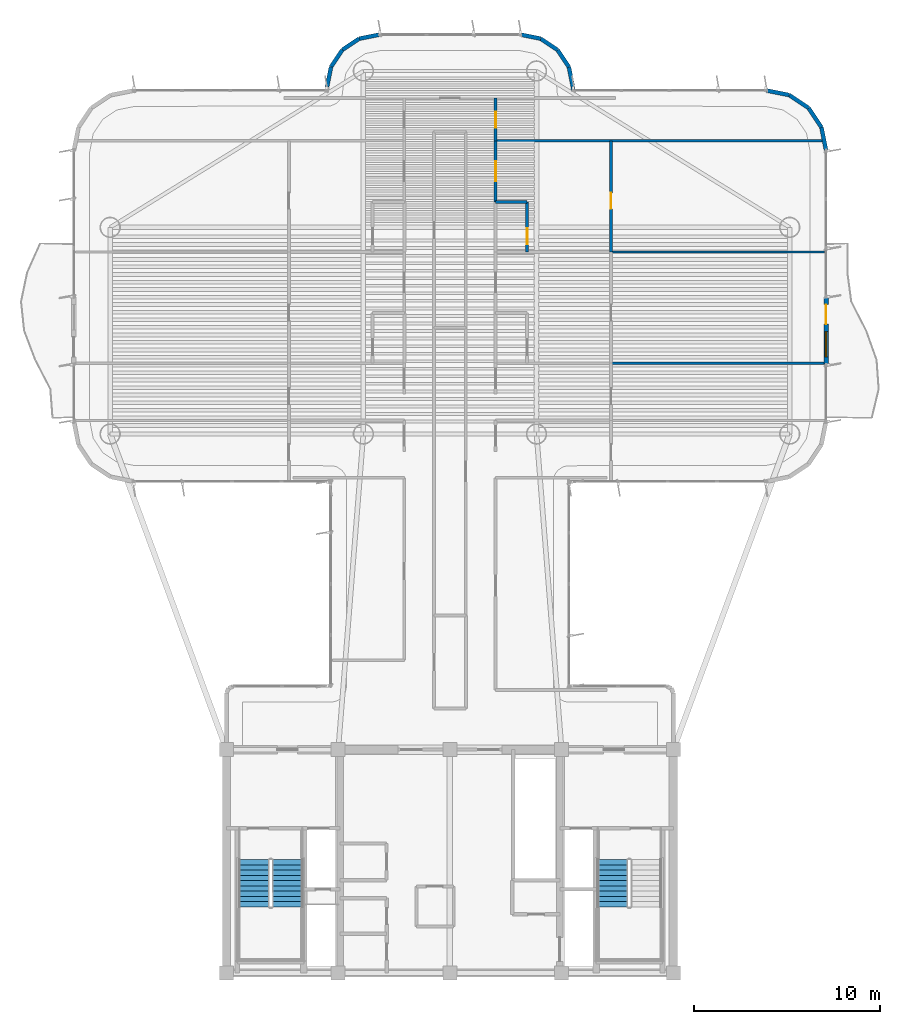
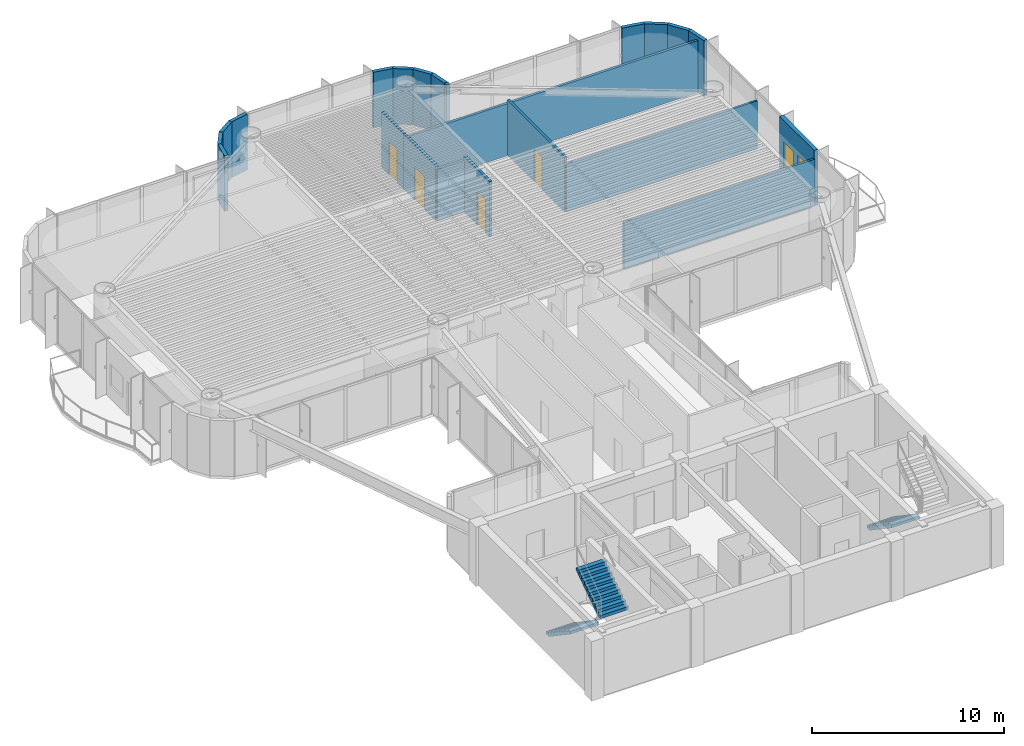
# One storey, part 12 of 15: 22 walls, 5 doors, 3 stair flights, 1 window, 6 openings, 2 elements without a shape of their own.
"""IFC4 building model written with IfcOpenShell, lengths in metres."""

from ifc_helpers import new_model, si_unit, direction, frame, frame_2d, origin, origin_2d, place, context, subcontext, project, spatial, polyline, rectangle, outline, extrude, source, transform, mapped, material, layer, layer_set, type_object, element, fill, aggregate, save


model = new_model("IFC4")

# Units and contexts
model_context = context("Model", 3, precision=1e-05, world=origin(), true_north=direction((0.0, 1.0)))
body_context = subcontext(model_context, "Body", "Model", "MODEL_VIEW")
ifc_project = project(units=[si_unit("LENGTHUNIT", "METRE"), si_unit("AREAUNIT", "SQUARE_METRE"), si_unit("VOLUMEUNIT", "CUBIC_METRE"), si_unit("PLANEANGLEUNIT", "RADIAN"), si_unit("MASSUNIT", "GRAM", prefix="KILO")], contexts=[model_context])

# Site, building, storey
site_placement = place(None, origin())
site = spatial("IfcSite", under=ifc_project, at=site_placement, CompositionType="ELEMENT")
building_placement = place(site_placement, origin())
building = spatial("IfcBuilding", under=site, at=building_placement, Name="Brelvock Crest Care Tower", CompositionType="ELEMENT")
storey_placement = place(building_placement, frame((0.0, 0.0, 167.760009765625)))
storey = spatial("IfcBuildingStorey", under=building, at=storey_placement, Name="L42", CompositionType="ELEMENT", Elevation=167.760009765625)

# Wall, openings, door, window
ifc_material_1 = material(Name="Precast concrete N40 (40 MPa)", Category="concrete")
ifc_layer_1 = layer(ifc_material_1, 0.239990234375, Name="WL-EX1")
ifc_layer_set_1 = layer_set([ifc_layer_1], Name="Precast concrete N40 (40 MPa)")
wall_type_1 = type_object("IfcWallType", Name="WL-EX1", PredefinedType="SOLIDWALL", material=ifc_layer_set_1)
wall_1_placement = place(storey_placement, frame((56.199951171875, 42.300048828125, 0.0), z_axis=(0.0, 0.0, 1.0), x_axis=(0.0, -1.0, 0.0)))
wall_1 = element("IfcWall", 1, at=wall_1_placement, inside=storey, type_object=wall_type_1, Name="L42 Exterior Spandrel Wall WL-BAL-L42-E", PredefinedType="SOLIDWALL", context=body_context, shape_type="SweptSolid", body=[
    extrude(rectangle(XDim=3.60009765625, YDim=0.239990234375, at=frame_2d((1.800048828125, 0.0))), origin(), (0.0, 0.0, 1.0), 3.530029296875),
])
opening_1_placement = place(wall_1_placement, frame((0.39990234375, 0.0, 0.0)))
opening_1 = element("IfcOpeningElement", 2, at=opening_1_placement, cuts=wall_1, Name="Opening BD-1", PredefinedType="OPENING", context=body_context, shape_type="SweptSolid", body=[
    extrude(rectangle(XDim=1.050048828125, YDim=2.14990234375, at=origin_2d()), frame((0.52490234375, 0.1298828125, 1.074951171875), z_axis=(0.0, -1.0, 0.0), x_axis=(1.0, 0.0, 0.0)), (0.0, 0.0, 1.0), 0.260009765625),
])
opening_2_placement = place(wall_1_placement, frame((1.85009765625, 0.0, 0.85009765625)))
opening_2 = element("IfcOpeningElement", 3, at=opening_2_placement, cuts=wall_1, Name="Opening W-01", PredefinedType="OPENING", context=body_context, shape_type="SweptSolid", body=[
    extrude(rectangle(XDim=1.35009765625, YDim=1.35009765625, at=origin_2d()), frame((0.675048828125, 0.1298828125, 0.675048828125), z_axis=(0.0, -1.0, 0.0), x_axis=(1.0, 0.0, 0.0)), (0.0, 0.0, 1.0), 0.260009765625),
])
ifc_material_2 = material(Name="Dark Glass Double Glazed Low-E", Category="glass")
door_type_1 = type_object("IfcDoorType", Name="DR-BAL1", OperationType="NOTDEFINED", PredefinedType="DOOR", material=ifc_material_2)
shared_shape_1 = source(origin(), body_context, "Body", "SweptSolid", [
    extrude(rectangle(XDim=1.050048828125, YDim=2.14990234375, at=origin_2d()), frame((0.52490234375, 0.02490234375, 1.074951171875), z_axis=(0.0, -1.0, 0.0), x_axis=(1.0, 0.0, 0.0)), (0.0, 0.0, 1.0), 0.050048828125),
])
door_1_placement = place(opening_1_placement, origin())
door_1 = element("IfcDoor", 4, at=door_1_placement, inside=storey, type_object=door_type_1, Name="L42 E Wave Balcony Glazed Door", OperationType="SINGLE_SWING_RIGHT", OverallHeight=2.14990234375, OverallWidth=1.050048828125, PredefinedType="DOOR", context=body_context, shape_type="MappedRepresentation", body=[
    mapped(shared_shape_1, transform((0.0, 0.0, 0.0), x_axis=(1.0, 0.0, 0.0), y_axis=(0.0, 1.0, 0.0), z_axis=(0.0, 0.0, 1.0), scale=1.0)),
])
fill(opening_1, door_1)
window_type = type_object("IfcWindowType", Name="WN-EX1", PartitioningType="SINGLE_PANEL", PredefinedType="WINDOW", material=ifc_material_2)
shared_shape_2 = source(origin(), body_context, "Body", "SweptSolid", [
    extrude(rectangle(XDim=1.35009765625, YDim=1.35009765625, at=origin_2d()), frame((0.675048828125, 0.030029296875, 0.675048828125), z_axis=(0.0, -1.0, 0.0), x_axis=(1.0, 0.0, 0.0)), (0.0, 0.0, 1.0), 0.06005859375),
])
window_placement = place(opening_2_placement, origin())
window = element("IfcWindow", 5, at=window_placement, inside=storey, type_object=window_type, Name="L42 E Suite Casement Window", OverallHeight=1.35009765625, OverallWidth=1.35009765625, PartitioningType="SINGLE_PANEL", PredefinedType="WINDOW", context=body_context, shape_type="MappedRepresentation", body=[
    mapped(shared_shape_2, transform((0.0, 0.0, 0.0), x_axis=(1.0, 0.0, 0.0), y_axis=(0.0, 1.0, 0.0), z_axis=(0.0, 0.0, 1.0), scale=1.0)),
])
fill(opening_2, window)

# Walls
ifc_layer_2 = layer(ifc_material_1, 0.215087890625, Name="WL-EX2")
ifc_layer_set_2 = layer_set([ifc_layer_2], Name="Precast concrete N40 (40 MPa)")
wall_type_2 = type_object("IfcWallType", Name="WL-EX2", PredefinedType="SOLIDWALL", material=ifc_layer_set_2)
wall_2_placement = place(storey_placement, frame((29.39990234375, 53.60009765625, 0.0), z_axis=(0.0, 0.0, 1.0), x_axis=(0.195127417394, 0.980777900945, 0.0)))
element("IfcWall", 6, at=wall_2_placement, inside=storey, type_object=wall_type_2, Name="L42 Rounded Corner Wall 24", PredefinedType="SOLIDWALL", context=body_context, shape_type="SweptSolid", body=[
    extrude(rectangle(XDim=1.09228515625, YDim=0.215087890625, at=frame_2d((0.546142578125, 0.0))), origin(), (0.0, 0.0, 1.0), 3.530029296875),
])
wall_3_placement = place(storey_placement, frame((29.613037109375, 54.67138671875, 0.0), z_axis=(0.0, 0.0, 1.0), x_axis=(0.555679482341, 0.831396603857, 0.0)))
element("IfcWall", 7, at=wall_3_placement, inside=storey, type_object=wall_type_2, Name="L42 Rounded Corner Wall 25", PredefinedType="SOLIDWALL", context=body_context, shape_type="SweptSolid", body=[
    extrude(rectangle(XDim=1.0927734375, YDim=0.215087890625, at=frame_2d((0.54638671875, 0.0))), origin(), (0.0, 0.0, 1.0), 3.530029296875),
])
for number, where, z_axis, x_axis, name in (
    (8, (30.22021484375, 55.579833984375, 0.0), (0.0, 0.0, 1.0), (0.831327592857, 0.555782721353, 0.0), "L42 Rounded Corner Wall 26"),
    (9, (31.12841796875, 56.18701171875, 0.0), (0.0, 0.0, 1.0), (0.980829143587, 0.194869677195, 0.0), "L42 Rounded Corner Wall 27"),
    (10, (39.800048828125, 56.39990234375, 0.0), (0.0, 0.0, 1.0), (0.980829143587, -0.194869677195, 0.0), "L42 Rounded Corner Wall 29"),
    (11, (40.87158203125, 56.18701171875, 0.0), (0.0, 0.0, 1.0), (0.831327592857, -0.555782721353, 0.0), "L42 Rounded Corner Wall 30"),
):
    element("IfcWall", number, at=place(storey_placement, frame(where, z_axis=z_axis, x_axis=x_axis)), inside=storey, type_object=wall_type_2, Name=name, PredefinedType="SOLIDWALL", context=body_context, shape_type="SweptSolid", body=[
        extrude(rectangle(XDim=1.092529296875, YDim=0.215087890625, at=frame_2d((0.54638671875, 0.0))), origin(), (0.0, 0.0, 1.0), 3.530029296875),
    ])
wall_4_placement = place(storey_placement, frame((41.77978515625, 55.579833984375, 0.0), z_axis=(0.0, 0.0, 1.0), x_axis=(0.555679482341, -0.831396603857, 0.0)))
element("IfcWall", 12, at=wall_4_placement, inside=storey, type_object=wall_type_2, Name="L42 Rounded Corner Wall 31", PredefinedType="SOLIDWALL", context=body_context, shape_type="SweptSolid", body=[
    extrude(rectangle(XDim=1.0927734375, YDim=0.215087890625, at=frame_2d((0.54638671875, 0.0))), origin(), (0.0, 0.0, 1.0), 3.530029296875),
])
wall_5_placement = place(storey_placement, frame((42.386962890625, 54.67138671875, 0.0), z_axis=(0.0, 0.0, 1.0), x_axis=(0.195127417394, -0.980777900945, 0.0)))
element("IfcWall", 13, at=wall_5_placement, inside=storey, type_object=wall_type_2, Name="L42 Rounded Corner Wall 32", PredefinedType="SOLIDWALL", context=body_context, shape_type="SweptSolid", body=[
    extrude(rectangle(XDim=1.09228515625, YDim=0.215087890625, at=frame_2d((0.546142578125, 0.0))), origin(), (0.0, 0.0, 1.0), 3.530029296875),
])
wall_6_placement = place(storey_placement, frame((42.60009765625, 53.60009765625, 0.0), z_axis=(0.0, 0.0, 1.0), x_axis=(0.0, -1.0, 0.0)))
element("IfcWall", 14, at=wall_6_placement, inside=storey, type_object=wall_type_2, Name="L42 Rounded Corner Wall 33", PredefinedType="SOLIDWALL", context=body_context, shape_type="SweptSolid", body=[
    extrude(rectangle(XDim=0.2001953125, YDim=0.215087890625, at=frame_2d((0.10009765625, 0.0))), origin(), (0.0, 0.0, 1.0), 3.530029296875),
])
for number, where, z_axis, x_axis, name in (
    (15, (53.0, 53.39990234375, 0.0), (0.0, 0.0, 1.0), (0.980813122964, -0.194950295773, 0.0), "L42 Rounded Corner Wall 35"),
    (16, (54.224609375, 53.156494140625, 0.0), (0.0, 0.0, 1.0), (0.831387912822, -0.555692485475, 0.0), "L42 Rounded Corner Wall 36"),
    (17, (55.2626953125, 52.462646484375, 0.0), (0.0, 0.0, 1.0), (0.555557312883, -0.831478245117, 0.0), "L42 Rounded Corner Wall 37"),
    (18, (55.956298828125, 51.424560546875, 0.0), (0.0, 0.0, 1.0), (0.195138390419, -0.980775717779, 0.0), "L42 Rounded Corner Wall 38"),
):
    element("IfcWall", number, at=place(storey_placement, frame(where, z_axis=z_axis, x_axis=x_axis)), inside=storey, type_object=wall_type_2, Name=name, PredefinedType="SOLIDWALL", context=body_context, shape_type="SweptSolid", body=[
        extrude(rectangle(XDim=1.24853515625, YDim=0.215087890625, at=frame_2d((0.624267578125, 0.0))), origin(), (0.0, 0.0, 1.0), 3.530029296875),
    ])
ifc_material_3 = material(Name="Masonry Blockwork Acoustic Partition", Category="masonry")
ifc_layer_3 = layer(ifc_material_3, 0.14990234375, Name="WL-INT1")
ifc_layer_set_3 = layer_set([ifc_layer_3], Name="Masonry Blockwork Acoustic Partition")
wall_type_3 = type_object("IfcWallType", Name="WL-INT1", PredefinedType="PARTITIONING", material=ifc_layer_set_3)
wall_7_placement = place(storey_placement, frame((38.449951171875, 50.699951171875, 0.0), z_axis=(0.0, 0.0, 1.0), x_axis=(1.0, 0.0, 0.0)))
element("IfcWall", 19, at=wall_7_placement, inside=storey, type_object=wall_type_3, Name="L42 Interior Wall WL-BX-L42-NALE-S", PredefinedType="PARTITIONING", context=body_context, shape_type="SweptSolid", body=[
    extrude(rectangle(XDim=17.569091796875, YDim=0.14990234375, at=frame_2d((8.78466796875, 0.0))), origin(), (0.0, 0.0, 1.0), 3.30810546875),
])

# Wall, opening, door
wall_8_placement = place(storey_placement, frame((38.449951171875, 47.4150390625, 0.0), z_axis=(0.0, 0.0, 1.0), x_axis=(0.0, 1.0, 0.0)))
wall_8 = element("IfcWall", 20, at=wall_8_placement, inside=storey, type_object=wall_type_3, Name="L42 Interior Wall WL-CENT-L42-ES3", PredefinedType="PARTITIONING", context=body_context, shape_type="SweptSolid", body=[
    extrude(rectangle(XDim=3.284912109375, YDim=0.14990234375, at=frame_2d((1.642578125, 0.0))), origin(), (0.0, 0.0, 1.0), 3.5),
])
opening_3_placement = place(wall_8_placement, frame((1.123046875, 0.0, 0.0)))
opening_3 = element("IfcOpeningElement", 21, at=opening_3_placement, cuts=wall_8, Name="Opening CD-1", PredefinedType="OPENING", context=body_context, shape_type="SweptSolid", body=[
    extrude(rectangle(XDim=1.050048828125, YDim=2.10009765625, at=origin_2d()), frame((0.52490234375, 0.0849609375, 1.050048828125), z_axis=(0.0, -1.0, 0.0), x_axis=(1.0, 0.0, 0.0)), (0.0, 0.0, 1.0), 0.169921875),
])
ifc_material_4 = material(Name="Engineered Hardwood Timber", Category="wood")
door_type_2 = type_object("IfcDoorType", Name="DR-CARE1", OperationType="NOTDEFINED", PredefinedType="DOOR", material=ifc_material_4)
shared_shape_3 = source(origin(), body_context, "Body", "SweptSolid", [
    extrude(rectangle(XDim=1.050048828125, YDim=2.10009765625, at=origin_2d()), frame((0.52490234375, 0.02490234375, 1.050048828125), z_axis=(0.0, -1.0, 0.0), x_axis=(1.0, 0.0, 0.0)), (0.0, 0.0, 1.0), 0.050048828125),
])
door_2_placement = place(opening_3_placement, origin())
door_2 = element("IfcDoor", 22, at=door_2_placement, inside=storey, type_object=door_type_2, Name="L42 Care Suite Door ES3", OperationType="SINGLE_SWING_LEFT", OverallHeight=2.10009765625, OverallWidth=1.050048828125, PredefinedType="DOOR", context=body_context, shape_type="MappedRepresentation", body=[
    mapped(shared_shape_3, transform((0.0, 0.0, 0.0), x_axis=(1.0, 0.0, 0.0), y_axis=(0.0, 1.0, 0.0), z_axis=(0.0, 0.0, 1.0), scale=1.0)),
])
fill(opening_3, door_2)

wall_9_placement = place(storey_placement, frame((38.449951171875, 50.699951171875, 0.0), z_axis=(0.0, 0.0, 1.0), x_axis=(0.0, 1.0, 0.0)))
wall_9 = element("IfcWall", 23, at=wall_9_placement, inside=storey, type_object=wall_type_3, Name="L42 Interior Wall WL-RM-L42-NALE", PredefinedType="PARTITIONING", context=body_context, shape_type="SweptSolid", body=[
    extrude(rectangle(XDim=2.300048828125, YDim=0.14990234375, at=frame_2d((1.14990234375, 0.0))), origin(), (0.0, 0.0, 1.0), 3.5),
])
opening_4_placement = place(wall_9_placement, frame((0.68994140625, 0.0, 0.0)))
opening_4 = element("IfcOpeningElement", 24, at=opening_4_placement, cuts=wall_9, Name="Opening ID-1", PredefinedType="OPENING", context=body_context, shape_type="SweptSolid", body=[
    extrude(rectangle(XDim=0.860107421875, YDim=2.10009765625, at=origin_2d()), frame((0.43017578125, 0.0849609375, 1.050048828125), z_axis=(0.0, -1.0, 0.0), x_axis=(1.0, 0.0, 0.0)), (0.0, 0.0, 1.0), 0.169921875),
])
door_type_3 = type_object("IfcDoorType", Name="DR-INT1", OperationType="NOTDEFINED", PredefinedType="DOOR", material=ifc_material_4)
shared_shape_4 = source(origin(), body_context, "Body", "SweptSolid", [
    extrude(rectangle(XDim=0.860107421875, YDim=2.10009765625, at=origin_2d()), frame((0.43017578125, 0.02490234375, 1.050048828125), z_axis=(0.0, -1.0, 0.0), x_axis=(1.0, 0.0, 0.0)), (0.0, 0.0, 1.0), 0.050048828125),
])
door_3_placement = place(opening_4_placement, origin())
door_3 = element("IfcDoor", 25, at=door_3_placement, inside=storey, type_object=door_type_3, Name="L42 North East Tea Alcove Door NALE", OperationType="SINGLE_SWING_LEFT", OverallHeight=2.10009765625, OverallWidth=0.860107421875, PredefinedType="DOOR", context=body_context, shape_type="MappedRepresentation", body=[
    mapped(shared_shape_4, transform((0.0, 0.0, 0.0), x_axis=(1.0, 0.0, 0.0), y_axis=(0.0, 1.0, 0.0), z_axis=(0.0, 0.0, 1.0), scale=1.0)),
])
fill(opening_4, door_3)

wall_10_placement = place(storey_placement, frame((44.64990234375, 44.72705078125, 0.0), z_axis=(0.0, 0.0, 1.0), x_axis=(0.0, 1.0, 0.0)))
wall_10 = element("IfcWall", 26, at=wall_10_placement, inside=storey, type_object=wall_type_3, Name="L42 Interior Wall WL-RM-L42-ES3S", PredefinedType="PARTITIONING", context=body_context, shape_type="SweptSolid", body=[
    extrude(rectangle(XDim=5.972900390625, YDim=0.14990234375, at=frame_2d((2.986328125, 0.0))), origin(), (0.0, 0.0, 1.0), 3.5),
])
opening_5_placement = place(wall_10_placement, frame((2.31298828125, 0.0, 0.0)))
opening_5 = element("IfcOpeningElement", 27, at=opening_5_placement, cuts=wall_10, Name="Opening ID-1", PredefinedType="OPENING", context=body_context, shape_type="SweptSolid", body=[
    extrude(rectangle(XDim=0.860107421875, YDim=2.10009765625, at=origin_2d()), frame((0.43017578125, 0.0849609375, 1.050048828125), z_axis=(0.0, -1.0, 0.0), x_axis=(1.0, 0.0, 0.0)), (0.0, 0.0, 1.0), 0.169921875),
])
door_4_placement = place(opening_5_placement, origin())
door_4 = element("IfcDoor", 28, at=door_4_placement, inside=storey, type_object=door_type_3, Name="L42 Assisted Care Mobility Store Door ES3S", OperationType="SINGLE_SWING_LEFT", OverallHeight=2.10009765625, OverallWidth=0.860107421875, PredefinedType="DOOR", context=body_context, shape_type="MappedRepresentation", body=[
    mapped(shared_shape_4, transform((0.0, 0.0, 0.0), x_axis=(1.0, 0.0, 0.0), y_axis=(0.0, 1.0, 0.0), z_axis=(0.0, 0.0, 1.0), scale=1.0)),
])
fill(opening_5, door_4)

# Walls
ifc_material_5 = material(Name="Gypsum Plasterboard Partition", Category="gypsum")
ifc_layer_4 = layer(ifc_material_5, 0.1201171875, Name="WL-INT2")
ifc_layer_set_4 = layer_set([ifc_layer_4], Name="Gypsum Plasterboard Partition")
wall_type_4 = type_object("IfcWallType", Name="WL-INT2", PredefinedType="PARTITIONING", material=ifc_layer_set_4)
wall_11_placement = place(storey_placement, frame((44.64990234375, 38.75390625, 0.0), z_axis=(0.0, 0.0, 1.0), x_axis=(1.0, 0.0, 0.0)))
element("IfcWall", 29, at=wall_11_placement, inside=storey, type_object=wall_type_4, Name="L42 Interior Wall WL-BX-L42-ES1BS-N", PredefinedType="PARTITIONING", context=body_context, shape_type="SweptSolid", body=[
    extrude(rectangle(XDim=11.47021484375, YDim=0.1201171875, at=frame_2d((5.735107421875, 0.0))), origin(), (0.0, 0.0, 1.0), 2.98193359375),
])
wall_12_placement = place(storey_placement, frame((44.64990234375, 44.72705078125, 0.0), z_axis=(0.0, 0.0, 1.0), x_axis=(1.0, 0.0, 0.0)))
element("IfcWall", 30, at=wall_12_placement, inside=storey, type_object=wall_type_4, Name="L42 Interior Wall WL-BX-L42-ES2S-N", PredefinedType="PARTITIONING", context=body_context, shape_type="SweptSolid", body=[
    extrude(rectangle(XDim=11.47021484375, YDim=0.1201171875, at=frame_2d((5.735107421875, 0.0))), origin(), (0.0, 0.0, 1.0), 3.054931640625),
])
ifc_layer_5 = layer(ifc_material_5, 0.159912109375, Name="WL-PLM1")
ifc_layer_set_5 = layer_set([ifc_layer_5], Name="Gypsum Plasterboard Partition")
wall_type_5 = type_object("IfcWallType", Name="WL-PLM1", PredefinedType="PLUMBINGWALL", material=ifc_layer_set_5)
wall_13_placement = place(storey_placement, frame((38.449951171875, 47.4150390625, 0.0), z_axis=(0.0, 0.0, 1.0), x_axis=(1.0, 0.0, 0.0)))
element("IfcWall", 31, at=wall_13_placement, inside=storey, type_object=wall_type_5, Name="L42 Interior Wall WL-CENS2-L42-ES3", PredefinedType="PLUMBINGWALL", context=body_context, shape_type="SweptSolid", body=[
    extrude(rectangle(XDim=1.699951171875, YDim=0.159912109375, at=frame_2d((0.85009765625, 0.0))), origin(), (0.0, 0.0, 1.0), 3.259033203125),
])

# Wall, opening, door
wall_14_placement = place(storey_placement, frame((40.14990234375, 44.72705078125, 0.0), z_axis=(0.0, 0.0, 1.0), x_axis=(0.0, 1.0, 0.0)))
wall_14 = element("IfcWall", 32, at=wall_14_placement, inside=storey, type_object=wall_type_5, Name="L42 Interior Wall WL-CENS1-L42-ES3", PredefinedType="PLUMBINGWALL", context=body_context, shape_type="SweptSolid", body=[
    extrude(rectangle(XDim=2.68798828125, YDim=0.159912109375, at=frame_2d((1.343994140625, 0.0))), origin(), (0.0, 0.0, 1.0), 3.5),
])
opening_6_placement = place(wall_14_placement, frame((0.419921875, 0.0, 0.0)))
opening_6 = element("IfcOpeningElement", 33, at=opening_6_placement, cuts=wall_14, Name="Opening WD-1", PredefinedType="OPENING", context=body_context, shape_type="SweptSolid", body=[
    extrude(rectangle(XDim=0.860107421875, YDim=2.10009765625, at=origin_2d()), frame((0.43017578125, 0.08984375, 1.050048828125), z_axis=(0.0, -1.0, 0.0), x_axis=(1.0, 0.0, 0.0)), (0.0, 0.0, 1.0), 0.179931640625),
])
door_type_4 = type_object("IfcDoorType", Name="DR-WC1", OperationType="NOTDEFINED", PredefinedType="DOOR", material=ifc_material_4)
shared_shape_5 = source(origin(), body_context, "Body", "SweptSolid", [
    extrude(rectangle(XDim=0.860107421875, YDim=2.10009765625, at=origin_2d()), frame((0.43017578125, 0.02490234375, 1.050048828125), z_axis=(0.0, -1.0, 0.0), x_axis=(1.0, 0.0, 0.0)), (0.0, 0.0, 1.0), 0.050048828125),
])
door_5_placement = place(opening_6_placement, origin())
door_5 = element("IfcDoor", 34, at=door_5_placement, inside=storey, type_object=door_type_4, Name="L42 Care En-Suite Door ES3", OperationType="SINGLE_SWING_RIGHT", OverallHeight=2.10009765625, OverallWidth=0.860107421875, PredefinedType="DOOR", context=body_context, shape_type="MappedRepresentation", body=[
    mapped(shared_shape_5, transform((0.0, 0.0, 0.0), x_axis=(1.0, 0.0, 0.0), y_axis=(0.0, 1.0, 0.0), z_axis=(0.0, 0.0, 1.0), scale=1.0)),
])
fill(opening_6, door_5)

# Stair, stair flights
ifc_material_6 = material(Name="Concrete N40 (40 MPa)", Category="concrete")
stair_type = type_object("IfcStairType", Name="ST-CORE1", PredefinedType="HALF_TURN_STAIR", material=ifc_material_6)
stair_1_placement = place(storey_placement, origin())
stair_1 = element("IfcStair", 35, at=stair_1_placement, inside=storey, type_object=stair_type, Name="L42 Fire-Isolated Core Stair ST-1", PredefinedType="HALF_TURN_STAIR")
stair_flight_type = type_object("IfcStairFlightType", Name="STF-1", PredefinedType="STRAIGHT", material=ifc_material_6)
stair_flight_1_placement = place(storey_placement, frame((25.469970703125, 12.080078125, 0.0), z_axis=(0.0, 0.0, 1.0), x_axis=(0.0, -1.0, 0.0)))
stair_flight_1 = element("IfcStairFlight", 36, at=stair_flight_1_placement, type_object=stair_flight_type, Name="ST-1 flight 1", NumberOfRisers=10, NumberOfTreads=9, PredefinedType="STRAIGHT", RiserHeight=0.189, TreadLength=0.28, context=body_context, shape_type="SweptSolid", body=[
    extrude(outline(polyline([(-0.00390625, -0.014892578125), (-0.00390625, -0.0078125), (-0.00390625, -0.00048828125), (-0.00390625, 0.0068359375), (-0.00390625, 0.01416015625), (-0.00390625, 0.021484375), (-0.00390625, 0.02880859375), (-0.00390625, 0.035888671875), (-0.00390625, 0.043212890625), (-0.00390625, 0.050537109375), (-0.00390625, 0.057861328125), (-0.00390625, 0.065185546875), (-0.00390625, 0.072509765625), (-0.00390625, 0.07958984375), (-0.00390625, 0.0869140625), (-0.00390625, 0.09423828125), (-0.00390625, 0.1015625), (-0.00390625, 0.10888671875), (-0.00390625, 0.1162109375), (-0.00390625, 0.12353515625), (-0.00390625, 0.130615234375), (-0.00390625, 0.137939453125), (-0.00390625, 0.145263671875), (-0.00390625, 0.152587890625), (-0.00390625, 0.159912109375), (-0.00390625, 0.167236328125), (-0.00390625, 0.17431640625), (-0.00390625, 0.181640625), (-0.00390625, 0.18896484375), (0.0, 0.18896484375), (0.280029296875, 0.18896484375), (0.280029296875, 0.3779296875), (0.56005859375, 0.3779296875), (0.56005859375, 0.56689453125), (0.840087890625, 0.56689453125), (0.840087890625, 0.756103515625), (1.1201171875, 0.756103515625), (1.1201171875, 0.945068359375), (1.39990234375, 0.945068359375), (1.39990234375, 1.134033203125), (1.679931640625, 1.134033203125), (1.679931640625, 1.322998046875), (1.9599609375, 1.322998046875), (1.9599609375, 1.511962890625), (2.239990234375, 1.511962890625), (2.239990234375, 1.700927734375), (2.52001953125, 1.700927734375), (2.52392578125, 1.700927734375), (2.523681640625, 1.70068359375), (2.52392578125, 1.700439453125), (2.523681640625, 1.699951171875), (2.52392578125, 1.69970703125), (2.523681640625, 1.699462890625), (2.52392578125, 1.698974609375), (2.523681640625, 1.69873046875), (2.52392578125, 1.698486328125), (2.523681640625, 1.697998046875), (2.52392578125, 1.69775390625), (2.523681640625, 1.697509765625), (2.52392578125, 1.697021484375), (2.523681640625, 1.69677734375), (2.52392578125, 1.696533203125), (2.523681640625, 1.6962890625), (2.52392578125, 1.69580078125), (2.523681640625, 1.695556640625), (2.52392578125, 1.6953125), (2.523681640625, 1.69482421875), (2.52392578125, 1.694580078125), (2.523681640625, 1.6943359375), (2.52392578125, 1.69384765625), (2.523681640625, 1.693603515625), (2.52392578125, 1.693359375), (2.523681640625, 1.69287109375), (2.52392578125, 1.692626953125), (2.523681640625, 1.6923828125), (2.52392578125, 1.69189453125), (2.52001953125, 1.520263671875), (0.267822265625, 0.0), (0.0, 0.0), (0.0, -0.014892578125), (-0.00390625, -0.014892578125)])), frame((0.0, 0.83984375, 0.0), z_axis=(0.0, -1.0, 0.0), x_axis=(1.0, 0.0, 0.0)), (0.0, 0.0, 1.0), 1.679931640625),
])
stair_flight_2_placement = place(storey_placement, frame((27.27001953125, 9.56005859375, 1.889892578125), z_axis=(0.0, 0.0, 1.0), x_axis=(0.0, 1.0, 0.0)))
stair_flight_2 = element("IfcStairFlight", 37, at=stair_flight_2_placement, type_object=stair_flight_type, Name="ST-1 flight 2", NumberOfRisers=10, NumberOfTreads=9, PredefinedType="STRAIGHT", RiserHeight=0.189, TreadLength=0.28, context=body_context, shape_type="SweptSolid", body=[
    extrude(outline(polyline([(-0.00390625, -0.014892578125), (-0.00390625, -0.0078125), (-0.00390625, -0.00048828125), (-0.00390625, 0.0068359375), (-0.00390625, 0.01416015625), (-0.00390625, 0.021484375), (-0.00390625, 0.02880859375), (-0.00390625, 0.035888671875), (-0.00390625, 0.043212890625), (-0.00390625, 0.050537109375), (-0.00390625, 0.057861328125), (-0.00390625, 0.065185546875), (-0.00390625, 0.072509765625), (-0.00390625, 0.07958984375), (-0.00390625, 0.0869140625), (-0.00390625, 0.09423828125), (-0.00390625, 0.1015625), (-0.00390625, 0.10888671875), (-0.00390625, 0.1162109375), (-0.00390625, 0.12353515625), (-0.00390625, 0.130615234375), (-0.00390625, 0.137939453125), (-0.00390625, 0.145263671875), (-0.00390625, 0.152587890625), (-0.00390625, 0.159912109375), (-0.00390625, 0.167236328125), (-0.00390625, 0.17431640625), (-0.00390625, 0.181640625), (-0.00390625, 0.18896484375), (0.0, 0.18896484375), (0.280029296875, 0.18896484375), (0.280029296875, 0.3779296875), (0.56005859375, 0.3779296875), (0.56005859375, 0.56689453125), (0.840087890625, 0.56689453125), (0.840087890625, 0.756103515625), (1.1201171875, 0.756103515625), (1.1201171875, 0.945068359375), (1.39990234375, 0.945068359375), (1.39990234375, 1.134033203125), (1.679931640625, 1.134033203125), (1.679931640625, 1.322998046875), (1.9599609375, 1.322998046875), (1.9599609375, 1.511962890625), (2.239990234375, 1.511962890625), (2.239990234375, 1.700927734375), (2.52001953125, 1.700927734375), (2.52392578125, 1.700927734375), (2.523681640625, 1.70068359375), (2.52392578125, 1.700439453125), (2.523681640625, 1.699951171875), (2.52392578125, 1.69970703125), (2.523681640625, 1.699462890625), (2.52392578125, 1.698974609375), (2.523681640625, 1.69873046875), (2.52392578125, 1.698486328125), (2.523681640625, 1.697998046875), (2.52392578125, 1.69775390625), (2.523681640625, 1.697509765625), (2.52392578125, 1.697021484375), (2.523681640625, 1.69677734375), (2.52392578125, 1.696533203125), (2.523681640625, 1.6962890625), (2.52392578125, 1.69580078125), (2.523681640625, 1.695556640625), (2.52392578125, 1.6953125), (2.523681640625, 1.69482421875), (2.52392578125, 1.694580078125), (2.523681640625, 1.6943359375), (2.52392578125, 1.69384765625), (2.523681640625, 1.693603515625), (2.52392578125, 1.693359375), (2.523681640625, 1.69287109375), (2.52392578125, 1.692626953125), (2.523681640625, 1.6923828125), (2.52392578125, 1.69189453125), (2.52001953125, 1.520263671875), (0.267822265625, 0.0), (0.0, 0.0), (0.0, -0.014892578125), (-0.00390625, -0.014892578125)])), frame((0.0, 0.83984375, 0.0), z_axis=(0.0, -1.0, 0.0), x_axis=(1.0, 0.0, 0.0)), (0.0, 0.0, 1.0), 1.679931640625),
])
aggregate(stair_1, [stair_flight_1, stair_flight_2])

# Stair, stair flight
stair_2_placement = place(storey_placement, origin())
stair_2 = element("IfcStair", 38, at=stair_2_placement, inside=storey, type_object=stair_type, Name="L42 Fire-Isolated Core Stair ST-2", PredefinedType="HALF_TURN_STAIR")
stair_flight_3_placement = place(storey_placement, frame((44.72998046875, 12.080078125, 0.0), z_axis=(0.0, 0.0, 1.0), x_axis=(0.0, -1.0, 0.0)))
stair_flight_3 = element("IfcStairFlight", 39, at=stair_flight_3_placement, type_object=stair_flight_type, Name="ST-2 flight 1", NumberOfRisers=10, NumberOfTreads=9, PredefinedType="STRAIGHT", RiserHeight=0.189, TreadLength=0.28, context=body_context, shape_type="SweptSolid", body=[
    extrude(outline(polyline([(-0.00390625, -0.014892578125), (-0.00390625, -0.0078125), (-0.00390625, -0.00048828125), (-0.00390625, 0.0068359375), (-0.00390625, 0.01416015625), (-0.00390625, 0.021484375), (-0.00390625, 0.02880859375), (-0.00390625, 0.035888671875), (-0.00390625, 0.043212890625), (-0.00390625, 0.050537109375), (-0.00390625, 0.057861328125), (-0.00390625, 0.065185546875), (-0.00390625, 0.072509765625), (-0.00390625, 0.07958984375), (-0.00390625, 0.0869140625), (-0.00390625, 0.09423828125), (-0.00390625, 0.1015625), (-0.00390625, 0.10888671875), (-0.00390625, 0.1162109375), (-0.00390625, 0.12353515625), (-0.00390625, 0.130615234375), (-0.00390625, 0.137939453125), (-0.00390625, 0.145263671875), (-0.00390625, 0.152587890625), (-0.00390625, 0.159912109375), (-0.00390625, 0.167236328125), (-0.00390625, 0.17431640625), (-0.00390625, 0.181640625), (-0.00390625, 0.18896484375), (0.0, 0.18896484375), (0.280029296875, 0.18896484375), (0.280029296875, 0.3779296875), (0.56005859375, 0.3779296875), (0.56005859375, 0.56689453125), (0.840087890625, 0.56689453125), (0.840087890625, 0.756103515625), (1.1201171875, 0.756103515625), (1.1201171875, 0.945068359375), (1.39990234375, 0.945068359375), (1.39990234375, 1.134033203125), (1.679931640625, 1.134033203125), (1.679931640625, 1.322998046875), (1.9599609375, 1.322998046875), (1.9599609375, 1.511962890625), (2.239990234375, 1.511962890625), (2.239990234375, 1.700927734375), (2.52001953125, 1.700927734375), (2.52392578125, 1.700927734375), (2.523681640625, 1.70068359375), (2.52392578125, 1.700439453125), (2.523681640625, 1.699951171875), (2.52392578125, 1.69970703125), (2.523681640625, 1.699462890625), (2.52392578125, 1.698974609375), (2.523681640625, 1.69873046875), (2.52392578125, 1.698486328125), (2.523681640625, 1.697998046875), (2.52392578125, 1.69775390625), (2.523681640625, 1.697509765625), (2.52392578125, 1.697021484375), (2.523681640625, 1.69677734375), (2.52392578125, 1.696533203125), (2.523681640625, 1.6962890625), (2.52392578125, 1.69580078125), (2.523681640625, 1.695556640625), (2.52392578125, 1.6953125), (2.523681640625, 1.69482421875), (2.52392578125, 1.694580078125), (2.523681640625, 1.6943359375), (2.52392578125, 1.69384765625), (2.523681640625, 1.693603515625), (2.52392578125, 1.693359375), (2.523681640625, 1.69287109375), (2.52392578125, 1.692626953125), (2.523681640625, 1.6923828125), (2.52392578125, 1.69189453125), (2.52001953125, 1.520263671875), (0.267822265625, 0.0), (0.0, 0.0), (0.0, -0.014892578125), (-0.00390625, -0.014892578125)])), frame((0.0, 0.83984375, 0.0), z_axis=(0.0, -1.0, 0.0), x_axis=(1.0, 0.0, 0.0)), (0.0, 0.0, 1.0), 1.679931640625),
])
aggregate(stair_2, [stair_flight_3])

save(model, "model.ifc")
